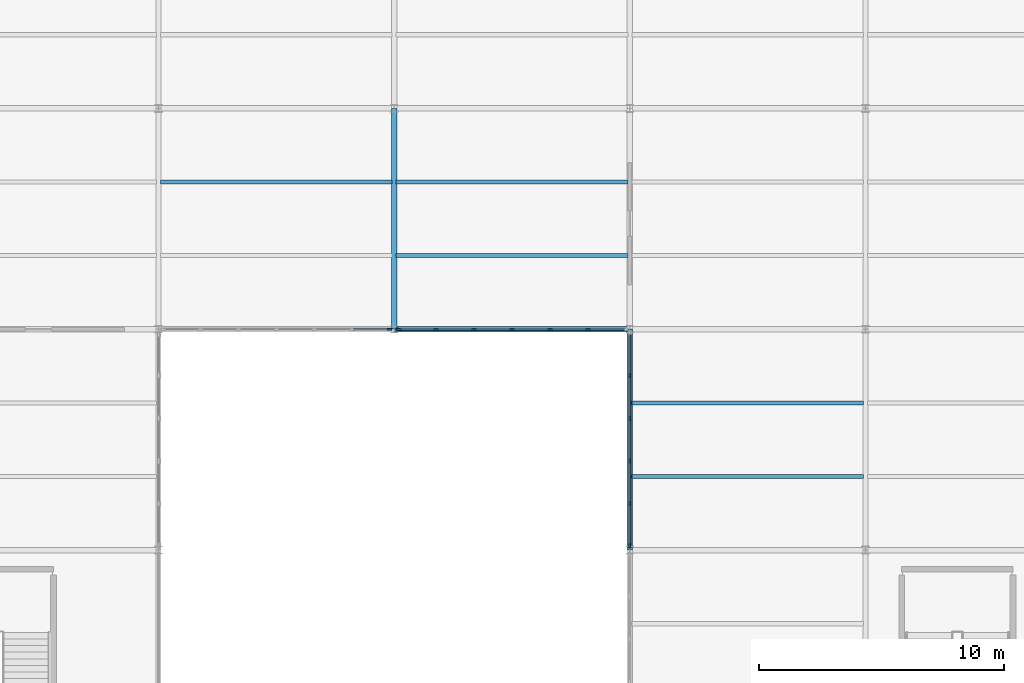
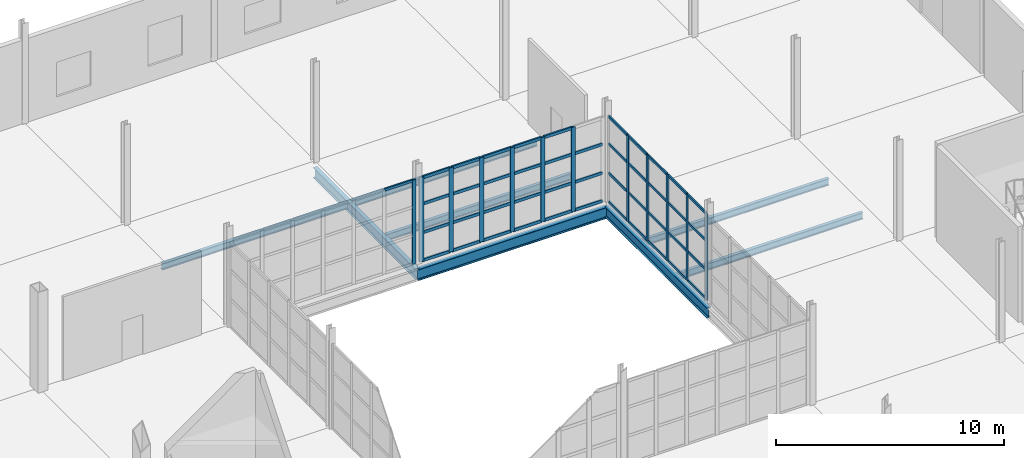
# One storey, part 39 of 85: 56 members, 8 beams, 3 elements without a shape of their own.
"""IFC4 building model written with IfcOpenShell, lengths in metres."""

from ifc_helpers import new_model, si_unit, direction, frame, origin, origin_2d, place, context, subcontext, project, spatial, rectangle, i_section, extrude, material, layer, layer_set, material_profile, profile_set, type_object, element, aggregate, save


model = new_model("IFC4")

# Units and contexts
model_context = context("Model", 3, precision=1e-05, world=origin(), true_north=direction((0.0, 1.0)))
body_context = subcontext(model_context, "Body", "Model", "MODEL_VIEW")
ifc_project = project(units=[si_unit("LENGTHUNIT", "METRE"), si_unit("AREAUNIT", "SQUARE_METRE"), si_unit("VOLUMEUNIT", "CUBIC_METRE"), si_unit("PLANEANGLEUNIT", "RADIAN"), si_unit("MASSUNIT", "GRAM", prefix="KILO")], contexts=[model_context])

# Site, building, storey
site_placement = place(None, origin())
site = spatial("IfcSite", under=ifc_project, at=site_placement, CompositionType="ELEMENT")
building_placement = place(site_placement, origin())
building = spatial("IfcBuilding", under=site, at=building_placement, Name="Zarnetskaya Central Station", CompositionType="ELEMENT")
storey_placement = place(building_placement, origin())
storey = spatial("IfcBuildingStorey", under=building, at=storey_placement, Name="L00", CompositionType="ELEMENT", Elevation=0.0)

# Beams
ifc_material_1 = material(Name="Steel S355", Category="steel")
ifc_material_profile_1 = material_profile(ifc_material_1, i_section(OverallWidth=0.169921875, OverallDepth=0.360107421875, WebThickness=0.008056640625, FlangeThickness=0.0126953125, FilletRadius=0.01806640625, at=origin_2d()), Name="IPE 360")
ifc_profile_set_1 = profile_set([ifc_material_profile_1], Name="Steel S355")
beam_type_1 = type_object("IfcBeamType", Name="BM-SEC-360", PredefinedType="BEAM", material=ifc_profile_set_1)
for number, where, z_axis, x_axis, name in (
    (1, (134.47998046875, 37.199951171875, -0.5), (1.0, 0.0, 0.0), (0.0, 1.0, 0.0), "Secondary floor beam SEC-L00-Z32-QR-56-2"),
    (2, (144.080078125, 34.199951171875, -0.5), (1.0, 0.0, 0.0), (0.0, 1.0, 0.0), "Secondary floor beam SEC-L00-Z32-RS-56-1"),
    (3, (144.080078125, 37.199951171875, -0.5), (1.0, 0.0, 0.0), (0.0, 1.0, 0.0), "Secondary floor beam SEC-L00-Z32-RS-56-2"),
):
    element("IfcBeam", number, at=place(storey_placement, frame(where, z_axis=z_axis, x_axis=x_axis)), inside=storey, type_object=beam_type_1, Name=name, PredefinedType="BEAM", context=body_context, shape_type="SweptSolid", body=[
        extrude(i_section(OverallWidth=0.169921875, OverallDepth=0.360107421875, WebThickness=0.008056640625, FlangeThickness=0.0126953125, FilletRadius=0.01806640625, at=origin_2d()), origin(), (0.0, 0.0, 1.0), 9.43994140625),
    ])
for number, where, z_axis, x_axis, name in (
    (4, (153.679931640625, 25.199951171875, -0.5), (1.0, 0.0, 0.0), (0.0, 1.0, 0.0), "Secondary floor beam SEC-L00-Z32-ST-45-1"),
    (5, (153.679931640625, 28.199951171875, -0.5), (1.0, 0.0, 0.0), (0.0, 1.0, 0.0), "Secondary floor beam SEC-L00-Z32-ST-45-2"),
):
    element("IfcBeam", number, at=place(storey_placement, frame(where, z_axis=z_axis, x_axis=x_axis)), inside=storey, type_object=beam_type_1, Name=name, PredefinedType="BEAM", context=body_context, shape_type="SweptSolid", body=[
        extrude(i_section(OverallWidth=0.169921875, OverallDepth=0.360107421875, WebThickness=0.008056640625, FlangeThickness=0.0126953125, FilletRadius=0.01806640625, at=origin_2d()), origin(), (0.0, 0.0, 1.0), 9.440185546875),
    ])

# Curtain wall, members
ifc_material_2 = material(Name="Low-E insulated glass", Category="glass")
ifc_layer = layer(ifc_material_2, 0.172119140625, Name="Low-E insulated glass", Category="glass")
ifc_layer_set = layer_set([ifc_layer], Name="Low-E insulated glass")
curtain_wall_type = type_object("IfcCurtainWallType", Name="CW-SYS-04", PredefinedType="USERDEFINED", material=ifc_layer_set)
curtain_wall_1_placement = place(storey_placement, origin())
curtain_wall_1 = element("IfcCurtainWall", 6, at=curtain_wall_1_placement, inside=storey, type_object=curtain_wall_type, Name="Curtain wall CW-L00-105", ObjectType="CURTAIN WALL", PredefinedType="USERDEFINED")
ifc_material_3 = material(Name="Anodised aluminium", Category="aluminium")
ifc_material_profile_2 = material_profile(ifc_material_3, rectangle(XDim=0.070068359375, YDim=0.179931640625, at=origin_2d()), Name="ALU MULL 70x180")
ifc_profile_set_2 = profile_set([ifc_material_profile_2], Name="Anodised aluminium")
member_type_1 = type_object("IfcMemberType", Name="CW-MULL-180", PredefinedType="MULLION", material=ifc_profile_set_2)
member_1_placement = place(storey_placement, frame((153.60009765625, 22.385009765625, 0.0), z_axis=(0.0, 0.0, 1.0), x_axis=(-1.0, 0.0, 0.0)))
member_1 = element("IfcMember", 7, at=member_1_placement, type_object=member_type_1, Name="CW-15 mullion 1", PredefinedType="MULLION", context=body_context, shape_type="SweptSolid", body=[
    extrude(rectangle(XDim=0.070068359375, YDim=0.179931640625, at=origin_2d()), origin(), (0.0, 0.0, 1.0), 4.6298828125),
])
member_2_placement = place(storey_placement, frame((153.60009765625, 24.090087890625, 0.0), z_axis=(0.0, 0.0, 1.0), x_axis=(-1.0, 0.0, 0.0)))
member_2 = element("IfcMember", 8, at=member_2_placement, type_object=member_type_1, Name="CW-15 mullion 2", PredefinedType="MULLION", context=body_context, shape_type="SweptSolid", body=[
    extrude(rectangle(XDim=0.070068359375, YDim=0.179931640625, at=origin_2d()), origin(), (0.0, 0.0, 1.0), 4.6298828125),
])
member_3_placement = place(storey_placement, frame((153.60009765625, 25.830078125, 0.0), z_axis=(0.0, 0.0, 1.0), x_axis=(-1.0, 0.0, 0.0)))
member_3 = element("IfcMember", 9, at=member_3_placement, type_object=member_type_1, Name="CW-15 mullion 3", PredefinedType="MULLION", context=body_context, shape_type="SweptSolid", body=[
    extrude(rectangle(XDim=0.070068359375, YDim=0.179931640625, at=origin_2d()), origin(), (0.0, 0.0, 1.0), 4.6298828125),
])
member_4_placement = place(storey_placement, frame((153.60009765625, 27.570068359375, 0.0), z_axis=(0.0, 0.0, 1.0), x_axis=(-1.0, 0.0, 0.0)))
member_4 = element("IfcMember", 10, at=member_4_placement, type_object=member_type_1, Name="CW-15 mullion 4", PredefinedType="MULLION", context=body_context, shape_type="SweptSolid", body=[
    extrude(rectangle(XDim=0.070068359375, YDim=0.179931640625, at=origin_2d()), origin(), (0.0, 0.0, 1.0), 4.6298828125),
])
member_5_placement = place(storey_placement, frame((153.60009765625, 29.31005859375, 0.0), z_axis=(0.0, 0.0, 1.0), x_axis=(-1.0, 0.0, 0.0)))
member_5 = element("IfcMember", 11, at=member_5_placement, type_object=member_type_1, Name="CW-15 mullion 5", PredefinedType="MULLION", context=body_context, shape_type="SweptSolid", body=[
    extrude(rectangle(XDim=0.070068359375, YDim=0.179931640625, at=origin_2d()), origin(), (0.0, 0.0, 1.0), 4.6298828125),
])

# Curtain wall, member
curtain_wall_2_placement = place(storey_placement, origin())
curtain_wall_2 = element("IfcCurtainWall", 12, at=curtain_wall_2_placement, inside=storey, type_object=curtain_wall_type, Name="Curtain wall CW-L00-107", ObjectType="CURTAIN WALL", PredefinedType="USERDEFINED")
member_6_placement = place(storey_placement, frame((143.81494140625, 31.199951171875, 0.0), z_axis=(0.0, 0.0, 1.0), x_axis=(0.0, -1.0, 0.0)))
member_6 = element("IfcMember", 13, at=member_6_placement, type_object=member_type_1, Name="CW-15 mullion 1", PredefinedType="MULLION", context=body_context, shape_type="SweptSolid", body=[
    extrude(rectangle(XDim=0.070068359375, YDim=0.179931640625, at=origin_2d()), origin(), (0.0, 0.0, 1.0), 4.52001953125),
])

# Curtain wall, members
curtain_wall_3_placement = place(storey_placement, origin())
curtain_wall_3 = element("IfcCurtainWall", 14, at=curtain_wall_3_placement, inside=storey, type_object=curtain_wall_type, Name="Curtain wall CW-L00-106", ObjectType="CURTAIN WALL", PredefinedType="USERDEFINED")
ifc_material_profile_3 = material_profile(ifc_material_3, rectangle(XDim=0.080078125, YDim=0.219970703125, at=origin_2d()), Name="ALU MULL 80x220")
ifc_profile_set_3 = profile_set([ifc_material_profile_3], Name="Anodised aluminium")
member_type_2 = type_object("IfcMemberType", Name="CW-MULL-220", PredefinedType="MULLION", material=ifc_profile_set_3)
member_7_placement = place(storey_placement, frame((151.89990234375, 31.199951171875, 0.0), z_axis=(0.0, 0.0, 1.0), x_axis=(0.0, -1.0, 0.0)))
member_7 = element("IfcMember", 15, at=member_7_placement, type_object=member_type_2, Name="CW-15 mullion 2", PredefinedType="MULLION", context=body_context, shape_type="SweptSolid", body=[
    extrude(rectangle(XDim=0.080078125, YDim=0.219970703125, at=origin_2d()), origin(), (0.0, 0.0, 1.0), 4.52001953125),
])
member_8_placement = place(storey_placement, frame((150.35009765625, 31.199951171875, 0.0), z_axis=(0.0, 0.0, 1.0), x_axis=(0.0, -1.0, 0.0)))
member_8 = element("IfcMember", 16, at=member_8_placement, type_object=member_type_2, Name="CW-15 mullion 3", PredefinedType="MULLION", context=body_context, shape_type="SweptSolid", body=[
    extrude(rectangle(XDim=0.080078125, YDim=0.219970703125, at=origin_2d()), origin(), (0.0, 0.0, 1.0), 4.52001953125),
])
member_9_placement = place(storey_placement, frame((148.800048828125, 31.199951171875, 0.0), z_axis=(0.0, 0.0, 1.0), x_axis=(0.0, -1.0, 0.0)))
member_9 = element("IfcMember", 17, at=member_9_placement, type_object=member_type_2, Name="CW-15 mullion 4", PredefinedType="MULLION", context=body_context, shape_type="SweptSolid", body=[
    extrude(rectangle(XDim=0.080078125, YDim=0.219970703125, at=origin_2d()), origin(), (0.0, 0.0, 1.0), 4.52001953125),
])
member_10_placement = place(storey_placement, frame((147.25, 31.199951171875, 0.0), z_axis=(0.0, 0.0, 1.0), x_axis=(0.0, -1.0, 0.0)))
member_10 = element("IfcMember", 18, at=member_10_placement, type_object=member_type_2, Name="CW-15 mullion 5", PredefinedType="MULLION", context=body_context, shape_type="SweptSolid", body=[
    extrude(rectangle(XDim=0.080078125, YDim=0.219970703125, at=origin_2d()), origin(), (0.0, 0.0, 1.0), 4.52001953125),
])
member_11_placement = place(storey_placement, frame((145.699951171875, 31.199951171875, 0.0), z_axis=(0.0, 0.0, 1.0), x_axis=(0.0, -1.0, 0.0)))
member_11 = element("IfcMember", 19, at=member_11_placement, type_object=member_type_2, Name="CW-15 mullion 6", PredefinedType="MULLION", context=body_context, shape_type="SweptSolid", body=[
    extrude(rectangle(XDim=0.080078125, YDim=0.219970703125, at=origin_2d()), origin(), (0.0, 0.0, 1.0), 4.52001953125),
])
member_12_placement = place(storey_placement, frame((144.18994140625, 31.199951171875, 0.0), z_axis=(0.0, 0.0, 1.0), x_axis=(0.0, -1.0, 0.0)))
member_12 = element("IfcMember", 20, at=member_12_placement, type_object=member_type_2, Name="CW-15 mullion 7", PredefinedType="MULLION", context=body_context, shape_type="SweptSolid", body=[
    extrude(rectangle(XDim=0.080078125, YDim=0.219970703125, at=origin_2d()), origin(), (0.0, 0.0, 1.0), 4.52001953125),
])

# Member
ifc_material_profile_4 = material_profile(ifc_material_3, rectangle(XDim=0.070068359375, YDim=0.139892578125, at=origin_2d()), Name="ALU TRAN 70x140")
ifc_profile_set_4 = profile_set([ifc_material_profile_4], Name="Anodised aluminium")
member_type_3 = type_object("IfcMemberType", Name="CW-TRAN-140", PredefinedType="USERDEFINED", material=ifc_profile_set_4)
member_13_placement = place(storey_placement, frame((153.60009765625, 22.419921875, 0.034912109375), z_axis=(0.0, 1.0, 0.0), x_axis=(-1.0, 0.0, 0.0)))
member_13 = element("IfcMember", 21, at=member_13_placement, type_object=member_type_3, Name="CW-15 transom 1.1", ObjectType="TRANSOM", PredefinedType="USERDEFINED", context=body_context, shape_type="SweptSolid", body=[
    extrude(rectangle(XDim=0.070068359375, YDim=0.139892578125, at=origin_2d()), origin(), (0.0, 0.0, 1.0), 1.635009765625),
])

member_14_placement = place(storey_placement, frame((153.60009765625, 22.419921875, 1.573974609375), z_axis=(0.0, 1.0, 0.0), x_axis=(-1.0, 0.0, 0.0)))
member_14 = element("IfcMember", 22, at=member_14_placement, type_object=member_type_3, Name="CW-15 transom 1.2", ObjectType="TRANSOM", PredefinedType="USERDEFINED", context=body_context, shape_type="SweptSolid", body=[
    extrude(rectangle(XDim=0.070068359375, YDim=0.139892578125, at=origin_2d()), origin(), (0.0, 0.0, 1.0), 1.635009765625),
])

member_15_placement = place(storey_placement, frame((153.60009765625, 22.419921875, 3.14794921875), z_axis=(0.0, 1.0, 0.0), x_axis=(-1.0, 0.0, 0.0)))
member_15 = element("IfcMember", 23, at=member_15_placement, type_object=member_type_3, Name="CW-15 transom 1.3", ObjectType="TRANSOM", PredefinedType="USERDEFINED", context=body_context, shape_type="SweptSolid", body=[
    extrude(rectangle(XDim=0.070068359375, YDim=0.139892578125, at=origin_2d()), origin(), (0.0, 0.0, 1.0), 1.635009765625),
])

member_16_placement = place(storey_placement, frame((153.60009765625, 22.419921875, 4.594970703125), z_axis=(0.0, 1.0, 0.0), x_axis=(-1.0, 0.0, 0.0)))
member_16 = element("IfcMember", 24, at=member_16_placement, type_object=member_type_3, Name="CW-15 transom 1.4", ObjectType="TRANSOM", PredefinedType="USERDEFINED", context=body_context, shape_type="SweptSolid", body=[
    extrude(rectangle(XDim=0.070068359375, YDim=0.139892578125, at=origin_2d()), origin(), (0.0, 0.0, 1.0), 1.635009765625),
])

member_17_placement = place(storey_placement, frame((153.60009765625, 24.125, 0.034912109375), z_axis=(0.0, 1.0, 0.0), x_axis=(-1.0, 0.0, 0.0)))
member_17 = element("IfcMember", 25, at=member_17_placement, type_object=member_type_3, Name="CW-15 transom 2.1", ObjectType="TRANSOM", PredefinedType="USERDEFINED", context=body_context, shape_type="SweptSolid", body=[
    extrude(rectangle(XDim=0.070068359375, YDim=0.139892578125, at=origin_2d()), origin(), (0.0, 0.0, 1.0), 1.669921875),
])

member_18_placement = place(storey_placement, frame((153.60009765625, 24.125, 1.573974609375), z_axis=(0.0, 1.0, 0.0), x_axis=(-1.0, 0.0, 0.0)))
member_18 = element("IfcMember", 26, at=member_18_placement, type_object=member_type_3, Name="CW-15 transom 2.2", ObjectType="TRANSOM", PredefinedType="USERDEFINED", context=body_context, shape_type="SweptSolid", body=[
    extrude(rectangle(XDim=0.070068359375, YDim=0.139892578125, at=origin_2d()), origin(), (0.0, 0.0, 1.0), 1.669921875),
])

member_19_placement = place(storey_placement, frame((153.60009765625, 24.125, 3.14794921875), z_axis=(0.0, 1.0, 0.0), x_axis=(-1.0, 0.0, 0.0)))
member_19 = element("IfcMember", 27, at=member_19_placement, type_object=member_type_3, Name="CW-15 transom 2.3", ObjectType="TRANSOM", PredefinedType="USERDEFINED", context=body_context, shape_type="SweptSolid", body=[
    extrude(rectangle(XDim=0.070068359375, YDim=0.139892578125, at=origin_2d()), origin(), (0.0, 0.0, 1.0), 1.669921875),
])

member_20_placement = place(storey_placement, frame((153.60009765625, 24.125, 4.594970703125), z_axis=(0.0, 1.0, 0.0), x_axis=(-1.0, 0.0, 0.0)))
member_20 = element("IfcMember", 28, at=member_20_placement, type_object=member_type_3, Name="CW-15 transom 2.4", ObjectType="TRANSOM", PredefinedType="USERDEFINED", context=body_context, shape_type="SweptSolid", body=[
    extrude(rectangle(XDim=0.070068359375, YDim=0.139892578125, at=origin_2d()), origin(), (0.0, 0.0, 1.0), 1.669921875),
])

member_21_placement = place(storey_placement, frame((153.60009765625, 25.864990234375, 0.034912109375), z_axis=(0.0, 1.0, 0.0), x_axis=(-1.0, 0.0, 0.0)))
member_21 = element("IfcMember", 29, at=member_21_placement, type_object=member_type_3, Name="CW-15 transom 3.1", ObjectType="TRANSOM", PredefinedType="USERDEFINED", context=body_context, shape_type="SweptSolid", body=[
    extrude(rectangle(XDim=0.070068359375, YDim=0.139892578125, at=origin_2d()), origin(), (0.0, 0.0, 1.0), 1.669921875),
])

member_22_placement = place(storey_placement, frame((153.60009765625, 25.864990234375, 1.573974609375), z_axis=(0.0, 1.0, 0.0), x_axis=(-1.0, 0.0, 0.0)))
member_22 = element("IfcMember", 30, at=member_22_placement, type_object=member_type_3, Name="CW-15 transom 3.2", ObjectType="TRANSOM", PredefinedType="USERDEFINED", context=body_context, shape_type="SweptSolid", body=[
    extrude(rectangle(XDim=0.070068359375, YDim=0.139892578125, at=origin_2d()), origin(), (0.0, 0.0, 1.0), 1.669921875),
])

member_23_placement = place(storey_placement, frame((153.60009765625, 25.864990234375, 3.14794921875), z_axis=(0.0, 1.0, 0.0), x_axis=(-1.0, 0.0, 0.0)))
member_23 = element("IfcMember", 31, at=member_23_placement, type_object=member_type_3, Name="CW-15 transom 3.3", ObjectType="TRANSOM", PredefinedType="USERDEFINED", context=body_context, shape_type="SweptSolid", body=[
    extrude(rectangle(XDim=0.070068359375, YDim=0.139892578125, at=origin_2d()), origin(), (0.0, 0.0, 1.0), 1.669921875),
])

member_24_placement = place(storey_placement, frame((153.60009765625, 25.864990234375, 4.594970703125), z_axis=(0.0, 1.0, 0.0), x_axis=(-1.0, 0.0, 0.0)))
member_24 = element("IfcMember", 32, at=member_24_placement, type_object=member_type_3, Name="CW-15 transom 3.4", ObjectType="TRANSOM", PredefinedType="USERDEFINED", context=body_context, shape_type="SweptSolid", body=[
    extrude(rectangle(XDim=0.070068359375, YDim=0.139892578125, at=origin_2d()), origin(), (0.0, 0.0, 1.0), 1.669921875),
])

member_25_placement = place(storey_placement, frame((153.60009765625, 27.60498046875, 0.034912109375), z_axis=(0.0, 1.0, 0.0), x_axis=(-1.0, 0.0, 0.0)))
member_25 = element("IfcMember", 33, at=member_25_placement, type_object=member_type_3, Name="CW-15 transom 4.1", ObjectType="TRANSOM", PredefinedType="USERDEFINED", context=body_context, shape_type="SweptSolid", body=[
    extrude(rectangle(XDim=0.070068359375, YDim=0.139892578125, at=origin_2d()), origin(), (0.0, 0.0, 1.0), 1.669921875),
])

member_26_placement = place(storey_placement, frame((153.60009765625, 27.60498046875, 1.573974609375), z_axis=(0.0, 1.0, 0.0), x_axis=(-1.0, 0.0, 0.0)))
member_26 = element("IfcMember", 34, at=member_26_placement, type_object=member_type_3, Name="CW-15 transom 4.2", ObjectType="TRANSOM", PredefinedType="USERDEFINED", context=body_context, shape_type="SweptSolid", body=[
    extrude(rectangle(XDim=0.070068359375, YDim=0.139892578125, at=origin_2d()), origin(), (0.0, 0.0, 1.0), 1.669921875),
])

member_27_placement = place(storey_placement, frame((153.60009765625, 27.60498046875, 3.14794921875), z_axis=(0.0, 1.0, 0.0), x_axis=(-1.0, 0.0, 0.0)))
member_27 = element("IfcMember", 35, at=member_27_placement, type_object=member_type_3, Name="CW-15 transom 4.3", ObjectType="TRANSOM", PredefinedType="USERDEFINED", context=body_context, shape_type="SweptSolid", body=[
    extrude(rectangle(XDim=0.070068359375, YDim=0.139892578125, at=origin_2d()), origin(), (0.0, 0.0, 1.0), 1.669921875),
])

member_28_placement = place(storey_placement, frame((153.60009765625, 27.60498046875, 4.594970703125), z_axis=(0.0, 1.0, 0.0), x_axis=(-1.0, 0.0, 0.0)))
member_28 = element("IfcMember", 36, at=member_28_placement, type_object=member_type_3, Name="CW-15 transom 4.4", ObjectType="TRANSOM", PredefinedType="USERDEFINED", context=body_context, shape_type="SweptSolid", body=[
    extrude(rectangle(XDim=0.070068359375, YDim=0.139892578125, at=origin_2d()), origin(), (0.0, 0.0, 1.0), 1.669921875),
])

member_29_placement = place(storey_placement, frame((153.60009765625, 29.344970703125, 0.034912109375), z_axis=(0.0, 1.0, 0.0), x_axis=(-1.0, 0.0, 0.0)))
member_29 = element("IfcMember", 37, at=member_29_placement, type_object=member_type_3, Name="CW-15 transom 5.1", ObjectType="TRANSOM", PredefinedType="USERDEFINED", context=body_context, shape_type="SweptSolid", body=[
    extrude(rectangle(XDim=0.070068359375, YDim=0.139892578125, at=origin_2d()), origin(), (0.0, 0.0, 1.0), 1.635009765625),
])

member_30_placement = place(storey_placement, frame((153.60009765625, 29.344970703125, 1.573974609375), z_axis=(0.0, 1.0, 0.0), x_axis=(-1.0, 0.0, 0.0)))
member_30 = element("IfcMember", 38, at=member_30_placement, type_object=member_type_3, Name="CW-15 transom 5.2", ObjectType="TRANSOM", PredefinedType="USERDEFINED", context=body_context, shape_type="SweptSolid", body=[
    extrude(rectangle(XDim=0.070068359375, YDim=0.139892578125, at=origin_2d()), origin(), (0.0, 0.0, 1.0), 1.635009765625),
])

member_31_placement = place(storey_placement, frame((153.60009765625, 29.344970703125, 3.14794921875), z_axis=(0.0, 1.0, 0.0), x_axis=(-1.0, 0.0, 0.0)))
member_31 = element("IfcMember", 39, at=member_31_placement, type_object=member_type_3, Name="CW-15 transom 5.3", ObjectType="TRANSOM", PredefinedType="USERDEFINED", context=body_context, shape_type="SweptSolid", body=[
    extrude(rectangle(XDim=0.070068359375, YDim=0.139892578125, at=origin_2d()), origin(), (0.0, 0.0, 1.0), 1.635009765625),
])

member_32_placement = place(storey_placement, frame((153.60009765625, 29.344970703125, 4.594970703125), z_axis=(0.0, 1.0, 0.0), x_axis=(-1.0, 0.0, 0.0)))
member_32 = element("IfcMember", 40, at=member_32_placement, type_object=member_type_3, Name="CW-15 transom 5.4", ObjectType="TRANSOM", PredefinedType="USERDEFINED", context=body_context, shape_type="SweptSolid", body=[
    extrude(rectangle(XDim=0.070068359375, YDim=0.139892578125, at=origin_2d()), origin(), (0.0, 0.0, 1.0), 1.635009765625),
])

aggregate(curtain_wall_1, [member_1, member_2, member_3, member_4, member_5, member_13, member_14, member_15, member_16, member_17, member_18, member_19, member_20, member_21, member_22, member_23, member_24, member_25, member_26, member_27, member_28, member_29, member_30, member_31, member_32])

member_33_placement = place(storey_placement, frame((143.780029296875, 31.199951171875, 4.485107421875), z_axis=(-1.0, 0.0, 0.0), x_axis=(0.0, -1.0, 0.0)))
member_33 = element("IfcMember", 41, at=member_33_placement, type_object=member_type_3, Name="CW-15 transom 1.4", ObjectType="TRANSOM", PredefinedType="USERDEFINED", context=body_context, shape_type="SweptSolid", body=[
    extrude(rectangle(XDim=0.070068359375, YDim=0.139892578125, at=origin_2d()), origin(), (0.0, 0.0, 1.0), 1.445068359375),
])

aggregate(curtain_wall_2, [member_6, member_33])

ifc_material_profile_5 = material_profile(ifc_material_3, rectangle(XDim=0.080078125, YDim=0.159912109375, at=origin_2d()), Name="ALU TRAN 80x160")
ifc_profile_set_5 = profile_set([ifc_material_profile_5], Name="Anodised aluminium")
member_type_4 = type_object("IfcMemberType", Name="CW-TRAN-160", PredefinedType="USERDEFINED", material=ifc_profile_set_5)
member_34_placement = place(storey_placement, frame((153.3701171875, 31.199951171875, 0.0400390625), z_axis=(-1.0, 0.0, 0.0), x_axis=(0.0, -1.0, 0.0)))
member_34 = element("IfcMember", 42, at=member_34_placement, type_object=member_type_4, Name="CW-15 transom 1.1", ObjectType="TRANSOM", PredefinedType="USERDEFINED", context=body_context, shape_type="SweptSolid", body=[
    extrude(rectangle(XDim=0.080078125, YDim=0.159912109375, at=origin_2d()), origin(), (0.0, 0.0, 1.0), 1.43017578125),
])

member_35_placement = place(storey_placement, frame((153.3701171875, 31.199951171875, 1.537109375), z_axis=(-1.0, 0.0, 0.0), x_axis=(0.0, -1.0, 0.0)))
member_35 = element("IfcMember", 43, at=member_35_placement, type_object=member_type_4, Name="CW-15 transom 1.2", ObjectType="TRANSOM", PredefinedType="USERDEFINED", context=body_context, shape_type="SweptSolid", body=[
    extrude(rectangle(XDim=0.080078125, YDim=0.159912109375, at=origin_2d()), origin(), (0.0, 0.0, 1.0), 1.43017578125),
])

member_36_placement = place(storey_placement, frame((153.3701171875, 31.199951171875, 3.073974609375), z_axis=(-1.0, 0.0, 0.0), x_axis=(0.0, -1.0, 0.0)))
member_36 = element("IfcMember", 44, at=member_36_placement, type_object=member_type_4, Name="CW-15 transom 1.3", ObjectType="TRANSOM", PredefinedType="USERDEFINED", context=body_context, shape_type="SweptSolid", body=[
    extrude(rectangle(XDim=0.080078125, YDim=0.159912109375, at=origin_2d()), origin(), (0.0, 0.0, 1.0), 1.43017578125),
])

member_37_placement = place(storey_placement, frame((151.860107421875, 31.199951171875, 0.0400390625), z_axis=(-1.0, 0.0, 0.0), x_axis=(0.0, -1.0, 0.0)))
member_37 = element("IfcMember", 45, at=member_37_placement, type_object=member_type_4, Name="CW-15 transom 2.1", ObjectType="TRANSOM", PredefinedType="USERDEFINED", context=body_context, shape_type="SweptSolid", body=[
    extrude(rectangle(XDim=0.080078125, YDim=0.159912109375, at=origin_2d()), origin(), (0.0, 0.0, 1.0), 1.47021484375),
])

member_38_placement = place(storey_placement, frame((151.860107421875, 31.199951171875, 1.537109375), z_axis=(-1.0, 0.0, 0.0), x_axis=(0.0, -1.0, 0.0)))
member_38 = element("IfcMember", 46, at=member_38_placement, type_object=member_type_4, Name="CW-15 transom 2.2", ObjectType="TRANSOM", PredefinedType="USERDEFINED", context=body_context, shape_type="SweptSolid", body=[
    extrude(rectangle(XDim=0.080078125, YDim=0.159912109375, at=origin_2d()), origin(), (0.0, 0.0, 1.0), 1.47021484375),
])

member_39_placement = place(storey_placement, frame((151.860107421875, 31.199951171875, 3.073974609375), z_axis=(-1.0, 0.0, 0.0), x_axis=(0.0, -1.0, 0.0)))
member_39 = element("IfcMember", 47, at=member_39_placement, type_object=member_type_4, Name="CW-15 transom 2.3", ObjectType="TRANSOM", PredefinedType="USERDEFINED", context=body_context, shape_type="SweptSolid", body=[
    extrude(rectangle(XDim=0.080078125, YDim=0.159912109375, at=origin_2d()), origin(), (0.0, 0.0, 1.0), 1.47021484375),
])

member_40_placement = place(storey_placement, frame((151.860107421875, 31.199951171875, 4.47998046875), z_axis=(-1.0, 0.0, 0.0), x_axis=(0.0, -1.0, 0.0)))
member_40 = element("IfcMember", 48, at=member_40_placement, type_object=member_type_4, Name="CW-15 transom 2.4", ObjectType="TRANSOM", PredefinedType="USERDEFINED", context=body_context, shape_type="SweptSolid", body=[
    extrude(rectangle(XDim=0.080078125, YDim=0.159912109375, at=origin_2d()), origin(), (0.0, 0.0, 1.0), 1.47021484375),
])

member_41_placement = place(storey_placement, frame((150.31005859375, 31.199951171875, 0.0400390625), z_axis=(-1.0, 0.0, 0.0), x_axis=(0.0, -1.0, 0.0)))
member_41 = element("IfcMember", 49, at=member_41_placement, type_object=member_type_4, Name="CW-15 transom 3.1", ObjectType="TRANSOM", PredefinedType="USERDEFINED", context=body_context, shape_type="SweptSolid", body=[
    extrude(rectangle(XDim=0.080078125, YDim=0.159912109375, at=origin_2d()), origin(), (0.0, 0.0, 1.0), 1.469970703125),
])

member_42_placement = place(storey_placement, frame((150.31005859375, 31.199951171875, 1.537109375), z_axis=(-1.0, 0.0, 0.0), x_axis=(0.0, -1.0, 0.0)))
member_42 = element("IfcMember", 50, at=member_42_placement, type_object=member_type_4, Name="CW-15 transom 3.2", ObjectType="TRANSOM", PredefinedType="USERDEFINED", context=body_context, shape_type="SweptSolid", body=[
    extrude(rectangle(XDim=0.080078125, YDim=0.159912109375, at=origin_2d()), origin(), (0.0, 0.0, 1.0), 1.469970703125),
])

member_43_placement = place(storey_placement, frame((150.31005859375, 31.199951171875, 3.073974609375), z_axis=(-1.0, 0.0, 0.0), x_axis=(0.0, -1.0, 0.0)))
member_43 = element("IfcMember", 51, at=member_43_placement, type_object=member_type_4, Name="CW-15 transom 3.3", ObjectType="TRANSOM", PredefinedType="USERDEFINED", context=body_context, shape_type="SweptSolid", body=[
    extrude(rectangle(XDim=0.080078125, YDim=0.159912109375, at=origin_2d()), origin(), (0.0, 0.0, 1.0), 1.469970703125),
])

member_44_placement = place(storey_placement, frame((150.31005859375, 31.199951171875, 4.47998046875), z_axis=(-1.0, 0.0, 0.0), x_axis=(0.0, -1.0, 0.0)))
member_44 = element("IfcMember", 52, at=member_44_placement, type_object=member_type_4, Name="CW-15 transom 3.4", ObjectType="TRANSOM", PredefinedType="USERDEFINED", context=body_context, shape_type="SweptSolid", body=[
    extrude(rectangle(XDim=0.080078125, YDim=0.159912109375, at=origin_2d()), origin(), (0.0, 0.0, 1.0), 1.469970703125),
])

member_45_placement = place(storey_placement, frame((148.760009765625, 31.199951171875, 0.0400390625), z_axis=(-1.0, 0.0, 0.0), x_axis=(0.0, -1.0, 0.0)))
member_45 = element("IfcMember", 53, at=member_45_placement, type_object=member_type_4, Name="CW-15 transom 4.1", ObjectType="TRANSOM", PredefinedType="USERDEFINED", context=body_context, shape_type="SweptSolid", body=[
    extrude(rectangle(XDim=0.080078125, YDim=0.159912109375, at=origin_2d()), origin(), (0.0, 0.0, 1.0), 1.469970703125),
])

member_46_placement = place(storey_placement, frame((148.760009765625, 31.199951171875, 1.537109375), z_axis=(-1.0, 0.0, 0.0), x_axis=(0.0, -1.0, 0.0)))
member_46 = element("IfcMember", 54, at=member_46_placement, type_object=member_type_4, Name="CW-15 transom 4.2", ObjectType="TRANSOM", PredefinedType="USERDEFINED", context=body_context, shape_type="SweptSolid", body=[
    extrude(rectangle(XDim=0.080078125, YDim=0.159912109375, at=origin_2d()), origin(), (0.0, 0.0, 1.0), 1.469970703125),
])

member_47_placement = place(storey_placement, frame((148.760009765625, 31.199951171875, 3.073974609375), z_axis=(-1.0, 0.0, 0.0), x_axis=(0.0, -1.0, 0.0)))
member_47 = element("IfcMember", 55, at=member_47_placement, type_object=member_type_4, Name="CW-15 transom 4.3", ObjectType="TRANSOM", PredefinedType="USERDEFINED", context=body_context, shape_type="SweptSolid", body=[
    extrude(rectangle(XDim=0.080078125, YDim=0.159912109375, at=origin_2d()), origin(), (0.0, 0.0, 1.0), 1.469970703125),
])

member_48_placement = place(storey_placement, frame((148.760009765625, 31.199951171875, 4.47998046875), z_axis=(-1.0, 0.0, 0.0), x_axis=(0.0, -1.0, 0.0)))
member_48 = element("IfcMember", 56, at=member_48_placement, type_object=member_type_4, Name="CW-15 transom 4.4", ObjectType="TRANSOM", PredefinedType="USERDEFINED", context=body_context, shape_type="SweptSolid", body=[
    extrude(rectangle(XDim=0.080078125, YDim=0.159912109375, at=origin_2d()), origin(), (0.0, 0.0, 1.0), 1.469970703125),
])

member_49_placement = place(storey_placement, frame((147.2099609375, 31.199951171875, 0.0400390625), z_axis=(-1.0, 0.0, 0.0), x_axis=(0.0, -1.0, 0.0)))
member_49 = element("IfcMember", 57, at=member_49_placement, type_object=member_type_4, Name="CW-15 transom 5.1", ObjectType="TRANSOM", PredefinedType="USERDEFINED", context=body_context, shape_type="SweptSolid", body=[
    extrude(rectangle(XDim=0.080078125, YDim=0.159912109375, at=origin_2d()), origin(), (0.0, 0.0, 1.0), 1.469970703125),
])

member_50_placement = place(storey_placement, frame((147.2099609375, 31.199951171875, 1.537109375), z_axis=(-1.0, 0.0, 0.0), x_axis=(0.0, -1.0, 0.0)))
member_50 = element("IfcMember", 58, at=member_50_placement, type_object=member_type_4, Name="CW-15 transom 5.2", ObjectType="TRANSOM", PredefinedType="USERDEFINED", context=body_context, shape_type="SweptSolid", body=[
    extrude(rectangle(XDim=0.080078125, YDim=0.159912109375, at=origin_2d()), origin(), (0.0, 0.0, 1.0), 1.469970703125),
])

member_51_placement = place(storey_placement, frame((147.2099609375, 31.199951171875, 3.073974609375), z_axis=(-1.0, 0.0, 0.0), x_axis=(0.0, -1.0, 0.0)))
member_51 = element("IfcMember", 59, at=member_51_placement, type_object=member_type_4, Name="CW-15 transom 5.3", ObjectType="TRANSOM", PredefinedType="USERDEFINED", context=body_context, shape_type="SweptSolid", body=[
    extrude(rectangle(XDim=0.080078125, YDim=0.159912109375, at=origin_2d()), origin(), (0.0, 0.0, 1.0), 1.469970703125),
])

member_52_placement = place(storey_placement, frame((147.2099609375, 31.199951171875, 4.47998046875), z_axis=(-1.0, 0.0, 0.0), x_axis=(0.0, -1.0, 0.0)))
member_52 = element("IfcMember", 60, at=member_52_placement, type_object=member_type_4, Name="CW-15 transom 5.4", ObjectType="TRANSOM", PredefinedType="USERDEFINED", context=body_context, shape_type="SweptSolid", body=[
    extrude(rectangle(XDim=0.080078125, YDim=0.159912109375, at=origin_2d()), origin(), (0.0, 0.0, 1.0), 1.469970703125),
])

member_53_placement = place(storey_placement, frame((145.659912109375, 31.199951171875, 0.0400390625), z_axis=(-1.0, 0.0, 0.0), x_axis=(0.0, -1.0, 0.0)))
member_53 = element("IfcMember", 61, at=member_53_placement, type_object=member_type_4, Name="CW-15 transom 6.1", ObjectType="TRANSOM", PredefinedType="USERDEFINED", context=body_context, shape_type="SweptSolid", body=[
    extrude(rectangle(XDim=0.080078125, YDim=0.159912109375, at=origin_2d()), origin(), (0.0, 0.0, 1.0), 1.429931640625),
])

member_54_placement = place(storey_placement, frame((145.659912109375, 31.199951171875, 1.537109375), z_axis=(-1.0, 0.0, 0.0), x_axis=(0.0, -1.0, 0.0)))
member_54 = element("IfcMember", 62, at=member_54_placement, type_object=member_type_4, Name="CW-15 transom 6.2", ObjectType="TRANSOM", PredefinedType="USERDEFINED", context=body_context, shape_type="SweptSolid", body=[
    extrude(rectangle(XDim=0.080078125, YDim=0.159912109375, at=origin_2d()), origin(), (0.0, 0.0, 1.0), 1.429931640625),
])

member_55_placement = place(storey_placement, frame((145.659912109375, 31.199951171875, 3.073974609375), z_axis=(-1.0, 0.0, 0.0), x_axis=(0.0, -1.0, 0.0)))
member_55 = element("IfcMember", 63, at=member_55_placement, type_object=member_type_4, Name="CW-15 transom 6.3", ObjectType="TRANSOM", PredefinedType="USERDEFINED", context=body_context, shape_type="SweptSolid", body=[
    extrude(rectangle(XDim=0.080078125, YDim=0.159912109375, at=origin_2d()), origin(), (0.0, 0.0, 1.0), 1.429931640625),
])

member_56_placement = place(storey_placement, frame((145.659912109375, 31.199951171875, 4.47998046875), z_axis=(-1.0, 0.0, 0.0), x_axis=(0.0, -1.0, 0.0)))
member_56 = element("IfcMember", 64, at=member_56_placement, type_object=member_type_4, Name="CW-15 transom 6.4", ObjectType="TRANSOM", PredefinedType="USERDEFINED", context=body_context, shape_type="SweptSolid", body=[
    extrude(rectangle(XDim=0.080078125, YDim=0.159912109375, at=origin_2d()), origin(), (0.0, 0.0, 1.0), 1.429931640625),
])

aggregate(curtain_wall_3, [member_7, member_8, member_9, member_10, member_11, member_12, member_34, member_35, member_36, member_37, member_38, member_39, member_40, member_41, member_42, member_43, member_44, member_45, member_46, member_47, member_48, member_49, member_50, member_51, member_52, member_53, member_54, member_55, member_56])

# Beams
ifc_material_profile_6 = material_profile(ifc_material_1, i_section(OverallWidth=0.2099609375, OverallDepth=0.550048828125, WebThickness=0.010986328125, FlangeThickness=0.01708984375, FilletRadius=0.02392578125, at=origin_2d()), Name="IPE 550")
ifc_profile_set_6 = profile_set([ifc_material_profile_6], Name="Steel S355")
beam_type_2 = type_object("IfcBeamType", Name="GD-FLR-550", PredefinedType="USERDEFINED", material=ifc_profile_set_6)
for number, where, z_axis, x_axis, name in (
    (65, (144.0, 31.199951171875, -0.594970703125), (0.0, 1.0, 0.0), (-1.0, 0.0, 0.0), "Grid girder GY-L00-R-56"),
    (66, (153.60009765625, 22.199951171875, -0.594970703125), (0.0, 1.0, 0.0), (-1.0, 0.0, 0.0), "Grid girder GY-L00-S-45"),
):
    element("IfcBeam", number, at=place(storey_placement, frame(where, z_axis=z_axis, x_axis=x_axis)), inside=storey, type_object=beam_type_2, Name=name, ObjectType="GIRDER", PredefinedType="USERDEFINED", context=body_context, shape_type="SweptSolid", body=[
        extrude(i_section(OverallWidth=0.2099609375, OverallDepth=0.550048828125, WebThickness=0.010986328125, FlangeThickness=0.01708984375, FilletRadius=0.02392578125, at=origin_2d()), origin(), (0.0, 0.0, 1.0), 9.0),
    ])
ifc_material_profile_7 = material_profile(ifc_material_1, i_section(OverallWidth=0.219970703125, OverallDepth=0.60009765625, WebThickness=0.011962890625, FlangeThickness=0.01904296875, FilletRadius=0.02392578125, at=origin_2d()), Name="IPE 600")
ifc_profile_set_7 = profile_set([ifc_material_profile_7], Name="Steel S355")
beam_type_3 = type_object("IfcBeamType", Name="GD-FLR-600", PredefinedType="USERDEFINED", material=ifc_profile_set_7)
beam_placement = place(storey_placement, frame((144.0, 31.199951171875, -0.6201171875), z_axis=(1.0, 0.0, 0.0), x_axis=(0.0, 1.0, 0.0)))
element("IfcBeam", 67, at=beam_placement, inside=storey, type_object=beam_type_3, Name="Grid girder GX-L00-5-RS", ObjectType="GIRDER", PredefinedType="USERDEFINED", context=body_context, shape_type="SweptSolid", body=[
    extrude(i_section(OverallWidth=0.219970703125, OverallDepth=0.60009765625, WebThickness=0.011962890625, FlangeThickness=0.01904296875, FilletRadius=0.02392578125, at=origin_2d()), origin(), (0.0, 0.0, 1.0), 9.60009765625),
])

save(model, "model.ifc")
